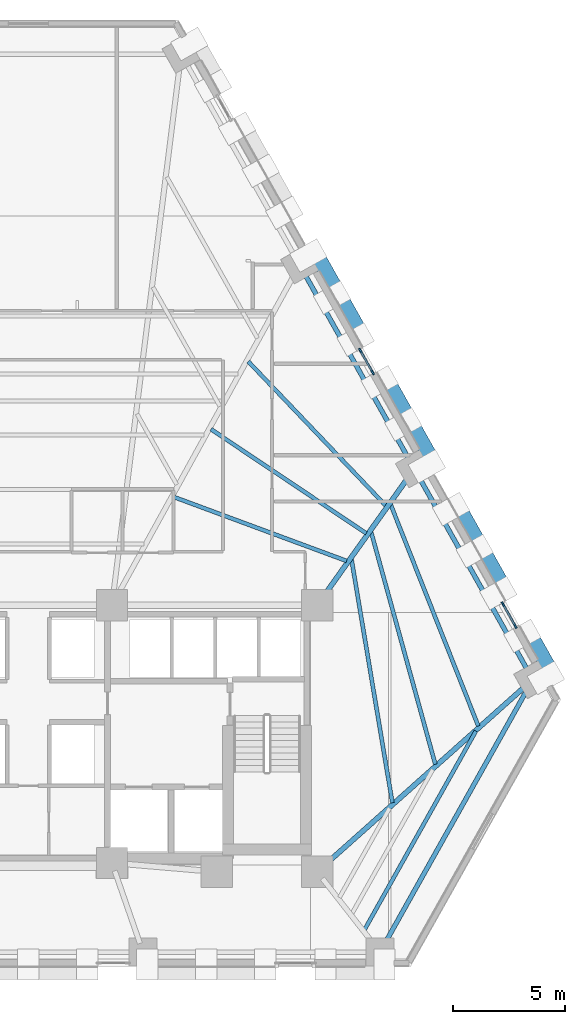
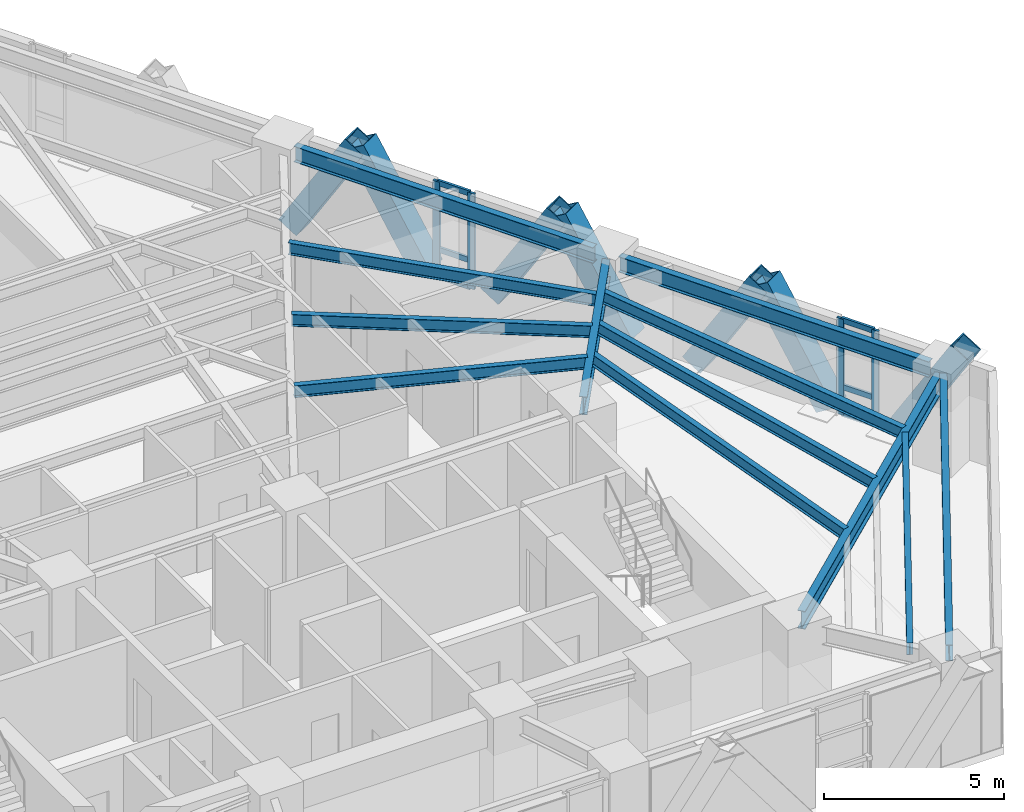
# One storey, part 4 of 13: 17 members, 12 beams, 2 elements without a shape of their own.
"""IFC4 building model written with IfcOpenShell, lengths in metres."""

import ifcopenshell
import ifcopenshell.guid

model = None  # the IFC model being written
_history = None  # IfcOwnerHistory: only IFC2X3 demands one
_inside = {}  # id of a spatial element -> (the spatial element, [elements in it])
_under = {}  # id of a project, library or spatial element -> (it, [spatial elements below it])
_declared = {}  # id of a project -> (the project, [libraries it declares])
_typed = {}  # id of a type object -> (the type object, [elements of that type])
_made_of = {}  # id of a material, layer set ... -> (it, [elements and type objects made of it])


def new_model(schema):
    """Start an empty IFC model of exactly this schema.

    Asked for "IFC4X3", IfcOpenShell would pick the latest addendum, in which some entities
    have other attributes; the version numbers below select the first issue.
    IFC2X3 requires an IfcOwnerHistory on every rooted entity: one is made here for all.
    """
    global model, _history
    if schema == "IFC4X3":
        model = ifcopenshell.file(schema_version=(4, 3, 0, 0))
    else:
        model = ifcopenshell.file(schema=schema)
    _inside.clear()
    _under.clear()
    _declared.clear()
    _typed.clear()
    _made_of.clear()
    _history = None
    if model.schema == "IFC2X3":
        org = make("IfcOrganization", Name="unknown")
        user = make(
            "IfcPersonAndOrganization",
            ThePerson=make("IfcPerson", FamilyName="unknown"),
            TheOrganization=org,
        )
        app = make(
            "IfcApplication",
            ApplicationDeveloper=org,
            Version="unknown",
            ApplicationFullName="unknown",
            ApplicationIdentifier="unknown",
        )
        _history = make(
            "IfcOwnerHistory",
            OwningUser=user,
            OwningApplication=app,
            ChangeAction="ADDED",
            CreationDate=0,
        )
    return model


def make(cls, **values):
    """One entity of the class cls with the attributes given. An attribute that is None is left unset."""
    return model.create_entity(
        cls, **{name: value for name, value in values.items() if value is not None}
    )


def rooted(cls, **values):
    """An entity with a GlobalId (a new one), such as an element, a storey or a relation."""
    return make(cls, GlobalId=ifcopenshell.guid.new(), OwnerHistory=_history, **values)


def si_unit(unit_type, name, prefix=None):
    """IfcSIUnit, for example si_unit("LENGTHUNIT", "METRE", prefix="MILLI")."""
    return make("IfcSIUnit", UnitType=unit_type, Prefix=prefix, Name=name)


def assignment(units):
    """IfcUnitAssignment: the units of a project."""
    return None if units is None else make("IfcUnitAssignment", Units=units)


def point(xyz):
    """IfcCartesianPoint."""
    return None if xyz is None else make("IfcCartesianPoint", Coordinates=xyz)


def direction(xyz):
    """IfcDirection."""
    return None if xyz is None else make("IfcDirection", DirectionRatios=xyz)


def frame(location, z_axis=None, x_axis=None):
    """IfcAxis2Placement3D, a coordinate frame: its origin and axes. An axis left out is left unset."""
    return make(
        "IfcAxis2Placement3D",
        Location=point(location),
        Axis=direction(z_axis),
        RefDirection=direction(x_axis),
    )


def frame_2d(location, x_axis=None):
    """IfcAxis2Placement2D, a coordinate frame in the plane: its origin and x axis."""
    return make(
        "IfcAxis2Placement2D", Location=point(location), RefDirection=direction(x_axis)
    )


def origin():
    """The frame at (0, 0, 0) with its axes left unset."""
    return frame((0.0, 0.0, 0.0))


def origin_2d():
    """The frame at (0, 0) in the plane with its x axis left unset."""
    return frame_2d((0.0, 0.0))


def place(relative_to, where):
    """IfcLocalPlacement: puts the frame where relative to a parent placement (None: the world)."""
    return make(
        "IfcLocalPlacement", PlacementRelTo=relative_to, RelativePlacement=where
    )


def context(
    kind, dimensions, precision=None, world=None, true_north=None, identifier=None
):
    """IfcGeometricRepresentationContext, for example the 3D "Model" context."""
    return make(
        "IfcGeometricRepresentationContext",
        ContextIdentifier=identifier,
        ContextType=kind,
        CoordinateSpaceDimension=dimensions,
        Precision=precision,
        WorldCoordinateSystem=world,
        TrueNorth=true_north,
    )


def subcontext(parent, identifier, kind, view, scale=None):
    """IfcGeometricRepresentationSubContext, for example "Body" below "Model"."""
    return make(
        "IfcGeometricRepresentationSubContext",
        ContextIdentifier=identifier,
        ContextType=kind,
        ParentContext=parent,
        TargetScale=scale,
        TargetView=view,
    )


def project(units=None, contexts=None):
    """IfcProject with its units and contexts."""
    return rooted(
        "IfcProject",
        Name="project",
        RepresentationContexts=contexts,
        UnitsInContext=assignment(units),
    )


def spatial(cls, under=None, at=None, **own):
    """A site, building, storey or space (cls), placed at a placement, below another one or the project."""
    s = rooted(cls, ObjectPlacement=at, **own)
    if under is not None:
        _under.setdefault(under.id(), (under, []))[1].append(s)
    return s


def profile(cls, at=None, kind="AREA", **sizes):
    """A parametric profile (cls). Its sizes go by their IFC names, for example OverallWidth=200.0."""
    return make(cls, ProfileType=kind, Position=at, **sizes)


def rectangle(**sizes):
    """IfcRectangleProfileDef."""
    return profile("IfcRectangleProfileDef", **sizes)


def hollow_rectangle(**sizes):
    """IfcRectangleHollowProfileDef."""
    return profile("IfcRectangleHollowProfileDef", **sizes)


def i_section(**sizes):
    """IfcIShapeProfileDef."""
    return profile("IfcIShapeProfileDef", **sizes)


def extrude(swept, where, along, depth):
    """IfcExtrudedAreaSolid: the profile swept, set in the frame where, extruded along a direction by depth."""
    return make(
        "IfcExtrudedAreaSolid",
        SweptArea=swept,
        Position=where,
        ExtrudedDirection=direction(along),
        Depth=depth,
    )


def shape(context_of_items, identifier, shape_type, items):
    """IfcShapeRepresentation: the items that make up one representation, for example the "Body"."""
    return make(
        "IfcShapeRepresentation",
        ContextOfItems=context_of_items,
        RepresentationIdentifier=identifier,
        RepresentationType=shape_type,
        Items=items,
    )


def material(Name=None, Category=None):
    """IfcMaterial."""
    return make("IfcMaterial", Name=Name, Category=Category)


def material_profile(
    of_material, cross_section, Name=None, Category=None, Priority=None
):
    """IfcMaterialProfile: a cross section and its material."""
    return make(
        "IfcMaterialProfile",
        Name=Name,
        Material=of_material,
        Profile=cross_section,
        Priority=Priority,
        Category=Category,
    )


def profile_set(profiles, Name=None, composite=None):
    """IfcMaterialProfileSet."""
    return make(
        "IfcMaterialProfileSet",
        Name=Name,
        MaterialProfiles=profiles,
        CompositeProfile=composite,
    )


def made_of(thing, what):
    """Note that an element or type object is made of a material, layer set ...; save() writes the relation."""
    if what is not None:
        _made_of.setdefault(what.id(), (what, []))[1].append(thing)
    return thing


def type_object(cls, material=None, **own):
    """A type object (cls), such as IfcWallType, which elements share."""
    return made_of(rooted(cls, **own), material)


def element(
    cls,
    number,
    at=None,
    inside=None,
    cuts=None,
    type_object=None,
    material=None,
    context=None,
    identifier="Body",
    shape_type=None,
    held_by="IfcProductDefinitionShape",
    body=None,
    shapes=None,
    **own,
):
    """One element of the class cls, such as IfcWall. Its Tag is "e" and its number.

    at: its placement. inside: the storey or other place that contains it. cuts: it is an
    opening in that element (IfcRelVoidsElement). A single representation is given by context,
    identifier, shape_type and body (its items); several are given by shapes. held_by: the class
    of the entity that holds the representations. save() writes the other relations.
    """
    e = rooted(cls, Tag="e%d" % number, ObjectPlacement=at, **own)
    if body is not None:
        shapes = [shape(context, identifier, shape_type, body)]
    if shapes is not None:
        e.Representation = make(held_by, Representations=shapes)
    if inside is not None:
        _inside.setdefault(inside.id(), (inside, []))[1].append(e)
    if cuts is not None:
        rooted(
            "IfcRelVoidsElement", RelatingBuildingElement=cuts, RelatedOpeningElement=e
        )
    if type_object is not None:
        _typed.setdefault(type_object.id(), (type_object, []))[1].append(e)
    return made_of(e, material)


def aggregate(whole, parts):
    """IfcRelAggregates: a whole, such as a stair, and the parts it consists of."""
    return rooted("IfcRelAggregates", RelatingObject=whole, RelatedObjects=parts)


def save(model, path):
    """Write the relations noted so far, then the file.

    IfcRelAggregates (storeys below a building ...), IfcRelContainedInSpatialStructure (elements
    in a storey), IfcRelDefinesByType, IfcRelAssociatesMaterial and IfcRelDeclares: one each for
    every whole, place, type object, material and project.
    """
    for whole, parts in _under.values():
        aggregate(whole, parts)
    for where, things in _inside.values():
        rooted(
            "IfcRelContainedInSpatialStructure",
            RelatedElements=things,
            RelatingStructure=where,
        )
    for kind, things in _typed.values():
        rooted("IfcRelDefinesByType", RelatedObjects=things, RelatingType=kind)
    for what, things in _made_of.values():
        rooted("IfcRelAssociatesMaterial", RelatedObjects=things, RelatingMaterial=what)
    for by, libraries in _declared.values():
        rooted("IfcRelDeclares", RelatingContext=by, RelatedDefinitions=libraries)
    model.write(path)


model = new_model("IFC4")

# Units and contexts
model_context = context("Model", 3, precision=1e-05, world=origin(), true_north=direction((0.0, 1.0)))
body_context = subcontext(model_context, "Body", "Model", "MODEL_VIEW")
ifc_project = project(units=[si_unit("LENGTHUNIT", "METRE"), si_unit("AREAUNIT", "SQUARE_METRE"), si_unit("VOLUMEUNIT", "CUBIC_METRE"), si_unit("PLANEANGLEUNIT", "RADIAN"), si_unit("MASSUNIT", "GRAM", prefix="KILO")], contexts=[model_context])

# Site, building, storey
site_placement = place(None, origin())
site = spatial("IfcSite", under=ifc_project, at=site_placement, CompositionType="ELEMENT")
building_placement = place(site_placement, origin())
building = spatial("IfcBuilding", under=site, at=building_placement, Name="Quenlor Broadcast Tower", CompositionType="ELEMENT")
storey_placement = place(building_placement, frame((0.0, 0.0, 34.60009765625)))
storey = spatial("IfcBuildingStorey", under=building, at=storey_placement, Name="L08", CompositionType="ELEMENT", Elevation=34.60009765625)

# Curtain wall, members
ifc_material_1 = material(Name="Architectural Terracotta and Low-E Glazing", Category="masonry")
curtain_wall_type = type_object("IfcCurtainWallType", Name="Unitised Terracotta Curtain Wall System Z1", PredefinedType="NOTDEFINED", material=ifc_material_1)
curtain_wall_1_placement = place(storey_placement, origin())
curtain_wall_1 = element("IfcCurtainWall", 1, at=curtain_wall_1_placement, inside=storey, type_object=curtain_wall_type, Name="L08 Curtain Wall CW1 (L08-NEC-G1)", PredefinedType="NOTDEFINED")
ifc_material_2 = material(Name="Aluminium 6063-T6", Category="aluminium")
ifc_material_profile_1 = material_profile(ifc_material_2, rectangle(XDim=0.080078125, YDim=0.219970703125, at=origin_2d()))
ifc_profile_set_1 = profile_set([ifc_material_profile_1], Name="Aluminium 6063-T6 MULL80x220")
member_type_1 = type_object("IfcMemberType", Name="CW1 Aluminium Mullion MULL_CW1", PredefinedType="MULLION", material=ifc_profile_set_1)
member_1_placement = place(storey_placement, frame((21.277587890625, -4.75341796875, 0.0), z_axis=(0.0, 0.0, 1.0), x_axis=(0.871602077703, 0.490214053392, 0.0)))
member_1 = element("IfcMember", 2, at=member_1_placement, type_object=member_type_1, Name="CW1 mullion 1", PredefinedType="MULLION", context=body_context, shape_type="SweptSolid", body=[
    extrude(rectangle(XDim=0.080078125, YDim=0.219970703125, at=origin_2d()), origin(), (0.0, 0.0, 1.0), 3.25),
])
member_2_placement = place(storey_placement, frame((21.830322265625, -5.736083984375, 0.0), z_axis=(0.0, 0.0, 1.0), x_axis=(0.871602077703, 0.490214053392, 0.0)))
member_2 = element("IfcMember", 3, at=member_2_placement, type_object=member_type_1, Name="CW1 mullion 2", PredefinedType="MULLION", context=body_context, shape_type="SweptSolid", body=[
    extrude(rectangle(XDim=0.080078125, YDim=0.219970703125, at=origin_2d()), origin(), (0.0, 0.0, 1.0), 3.25),
])

curtain_wall_2_placement = place(storey_placement, origin())
curtain_wall_2 = element("IfcCurtainWall", 4, at=curtain_wall_2_placement, inside=storey, type_object=curtain_wall_type, Name="L08 Curtain Wall CW1 (L08-NE-G1)", PredefinedType="NOTDEFINED")
member_3_placement = place(storey_placement, frame((14.884033203125, 6.613037109375, 0.0), z_axis=(0.0, 0.0, 1.0), x_axis=(0.871566690057, 0.49027696742, 0.0)))
member_3 = element("IfcMember", 5, at=member_3_placement, type_object=member_type_1, Name="CW1 mullion 1", PredefinedType="MULLION", context=body_context, shape_type="SweptSolid", body=[
    extrude(rectangle(XDim=0.080078125, YDim=0.219970703125, at=origin_2d()), origin(), (0.0, 0.0, 1.0), 3.25),
])
member_4_placement = place(storey_placement, frame((15.436767578125, 5.63037109375, 0.0), z_axis=(0.0, 0.0, 1.0), x_axis=(0.871566690057, 0.49027696742, 0.0)))
member_4 = element("IfcMember", 6, at=member_4_placement, type_object=member_type_1, Name="CW1 mullion 2", PredefinedType="MULLION", context=body_context, shape_type="SweptSolid", body=[
    extrude(rectangle(XDim=0.080078125, YDim=0.219970703125, at=origin_2d()), origin(), (0.0, 0.0, 1.0), 3.25),
])

# Member
ifc_material_3 = material(Name="Aluminium 6063-T6", Category="aluminium")
ifc_material_profile_2 = material_profile(ifc_material_3, rectangle(XDim=0.080078125, YDim=0.179931640625, at=origin_2d()))
ifc_profile_set_2 = profile_set([ifc_material_profile_2], Name="Aluminium 6063-T6 TRAN80x180")
member_type_2 = type_object("IfcMemberType", Name="CW1 Aluminium Transom TRAN_CW1", PredefinedType="USERDEFINED", material=ifc_profile_set_2)
member_5_placement = place(storey_placement, frame((21.29736328125, -4.788330078125, 0.039794921875), z_axis=(0.490228036821, -0.871594212874, 0.0), x_axis=(0.871594212874, 0.490228036821, 0.0)))
member_5 = element("IfcMember", 7, at=member_5_placement, type_object=member_type_2, Name="CW1 transom 1.1", ObjectType="TRANSOM", PredefinedType="USERDEFINED", context=body_context, shape_type="SweptSolid", body=[
    extrude(rectangle(XDim=0.080078125, YDim=0.179931640625, at=origin_2d()), origin(), (0.0, 0.0, 1.0), 1.04736328125),
])

member_6_placement = place(storey_placement, frame((21.29736328125, -4.788330078125, 0.949951171875), z_axis=(0.490228036821, -0.871594212874, 0.0), x_axis=(0.871594212874, 0.490228036821, 0.0)))
member_6 = element("IfcMember", 8, at=member_6_placement, type_object=member_type_2, Name="CW1 transom 1.2", ObjectType="TRANSOM", PredefinedType="USERDEFINED", context=body_context, shape_type="SweptSolid", body=[
    extrude(rectangle(XDim=0.080078125, YDim=0.179931640625, at=origin_2d()), origin(), (0.0, 0.0, 1.0), 1.04736328125),
])

member_7_placement = place(storey_placement, frame((21.29736328125, -4.788330078125, 3.2099609375), z_axis=(0.490228036821, -0.871594212874, 0.0), x_axis=(0.871594212874, 0.490228036821, 0.0)))
member_7 = element("IfcMember", 9, at=member_7_placement, type_object=member_type_2, Name="CW1 transom 1.3", ObjectType="TRANSOM", PredefinedType="USERDEFINED", context=body_context, shape_type="SweptSolid", body=[
    extrude(rectangle(XDim=0.080078125, YDim=0.179931640625, at=origin_2d()), origin(), (0.0, 0.0, 1.0), 1.04736328125),
])

aggregate(curtain_wall_1, [member_1, member_2, member_5, member_6, member_7])

member_8_placement = place(storey_placement, frame((14.90380859375, 6.578125, 0.039794921875), z_axis=(0.490128451098, -0.87165021736, 0.0), x_axis=(0.87165021736, 0.490128451098, 0.0)))
member_8 = element("IfcMember", 10, at=member_8_placement, type_object=member_type_2, Name="CW1 transom 1.1", ObjectType="TRANSOM", PredefinedType="USERDEFINED", context=body_context, shape_type="SweptSolid", body=[
    extrude(rectangle(XDim=0.080078125, YDim=0.179931640625, at=origin_2d()), origin(), (0.0, 0.0, 1.0), 1.047607421875),
])

member_9_placement = place(storey_placement, frame((14.90380859375, 6.578125, 0.949951171875), z_axis=(0.490128451098, -0.87165021736, 0.0), x_axis=(0.87165021736, 0.490128451098, 0.0)))
member_9 = element("IfcMember", 11, at=member_9_placement, type_object=member_type_2, Name="CW1 transom 1.2", ObjectType="TRANSOM", PredefinedType="USERDEFINED", context=body_context, shape_type="SweptSolid", body=[
    extrude(rectangle(XDim=0.080078125, YDim=0.179931640625, at=origin_2d()), origin(), (0.0, 0.0, 1.0), 1.047607421875),
])

member_10_placement = place(storey_placement, frame((14.90380859375, 6.578125, 3.2099609375), z_axis=(0.490128451098, -0.87165021736, 0.0), x_axis=(0.87165021736, 0.490128451098, 0.0)))
member_10 = element("IfcMember", 12, at=member_10_placement, type_object=member_type_2, Name="CW1 transom 1.3", ObjectType="TRANSOM", PredefinedType="USERDEFINED", context=body_context, shape_type="SweptSolid", body=[
    extrude(rectangle(XDim=0.080078125, YDim=0.179931640625, at=origin_2d()), origin(), (0.0, 0.0, 1.0), 1.047607421875),
])

aggregate(curtain_wall_2, [member_3, member_4, member_8, member_9, member_10])

# Members
ifc_material_4 = material(Name="Steel S355", Category="steel")
ifc_material_profile_3 = material_profile(ifc_material_4, hollow_rectangle(XDim=0.679931640625, YDim=0.679931640625, WallThickness=0.034912109375, at=origin_2d()))
ifc_profile_set_3 = profile_set([ifc_material_profile_3], Name="Steel S355 RHS680x680x35")
member_type_3 = type_object("IfcMemberType", Name="Perimeter Diagonal Lattice Brace Z1 Steel S355 RHS680x35", PredefinedType="BRACE", material=ifc_profile_set_3)
for number, where, z_axis, x_axis, name in (
    (13, (12.84716796875, 11.039794921875, -0.1201171875), (0.256375341489, -0.45579159737, 0.852364771705), (0.871581609758, 0.490250443683, 0.0), "L08 Perimeter Diamond Lattice NE-C2S"),
    (14, (16.0439453125, 5.356689453125, -0.1201171875), (0.256375341489, -0.45579159737, 0.852364771705), (0.871581609758, 0.490250443683, 0.0), "L08 Perimeter Diamond Lattice NE-C3S"),
):
    element("IfcMember", number, at=place(storey_placement, frame(where, z_axis=z_axis, x_axis=x_axis)), inside=storey, type_object=member_type_3, Name=name, PredefinedType="BRACE", context=body_context, shape_type="SweptSolid", body=[
        extrude(hollow_rectangle(XDim=0.679931640625, YDim=0.679931640625, WallThickness=0.034912109375, at=origin_2d()), origin(), (0.0, 0.0, 1.0), 4.106201171875),
    ])
member_11_placement = place(storey_placement, frame((14.965576171875, 7.273681640625, -0.1201171875), z_axis=(-0.256368393635, 0.455838699906, 0.852341672343), x_axis=(-0.871608931644, -0.490201866865, 0.0)))
element("IfcMember", 15, at=member_11_placement, inside=storey, type_object=member_type_3, Name="L08 Perimeter Diamond Lattice NE-C3B", PredefinedType="BRACE", context=body_context, shape_type="SweptSolid", body=[
    extrude(hollow_rectangle(XDim=0.679931640625, YDim=0.679931640625, WallThickness=0.034912109375, at=origin_2d()), origin(), (0.0, 0.0, 1.0), 4.1064453125),
])
for number, where, z_axis, x_axis, name in (
    (16, (19.24072265625, -0.326416015625, -0.1201171875), (0.256375341489, -0.45579159737, 0.852364771705), (0.871581609758, 0.490250443683, 0.0), "L08 Perimeter Diamond Lattice NE-C4S"),
    (17, (18.162353515625, 1.5908203125, -0.1201171875), (-0.256375341489, 0.45579159737, 0.852364771705), (-0.871581609758, -0.490250443683, 0.0), "L08 Perimeter Diamond Lattice NE-C4B"),
):
    element("IfcMember", number, at=place(storey_placement, frame(where, z_axis=z_axis, x_axis=x_axis)), inside=storey, type_object=member_type_3, Name=name, PredefinedType="BRACE", context=body_context, shape_type="SweptSolid", body=[
        extrude(hollow_rectangle(XDim=0.679931640625, YDim=0.679931640625, WallThickness=0.034912109375, at=origin_2d()), origin(), (0.0, 0.0, 1.0), 4.106201171875),
    ])
member_12_placement = place(storey_placement, frame((22.4375, -6.009521484375, -0.1201171875), z_axis=(0.256368393635, -0.455838699906, 0.852341672343), x_axis=(0.871608931644, 0.490201866865, 0.0)))
element("IfcMember", 18, at=member_12_placement, inside=storey, type_object=member_type_3, Name="L08 Perimeter Diamond Lattice NE-C5S", PredefinedType="BRACE", context=body_context, shape_type="SweptSolid", body=[
    extrude(hollow_rectangle(XDim=0.679931640625, YDim=0.679931640625, WallThickness=0.034912109375, at=origin_2d()), origin(), (0.0, 0.0, 1.0), 4.1064453125),
])
member_13_placement = place(storey_placement, frame((21.359130859375, -4.092529296875, -0.1201171875), z_axis=(-0.256375341489, 0.45579159737, 0.852364771705), x_axis=(-0.871581609758, -0.490250443683, 0.0)))
element("IfcMember", 19, at=member_13_placement, inside=storey, type_object=member_type_3, Name="L08 Perimeter Diamond Lattice NE-C5B", PredefinedType="BRACE", context=body_context, shape_type="SweptSolid", body=[
    extrude(hollow_rectangle(XDim=0.679931640625, YDim=0.679931640625, WallThickness=0.034912109375, at=origin_2d()), origin(), (0.0, 0.0, 1.0), 4.106201171875),
])

# Beams
ifc_material_5 = material(Name="Steel S355", Category="steel")
ifc_material_profile_4 = material_profile(ifc_material_5, i_section(OverallWidth=0.208984375, OverallDepth=0.532958984375, WebThickness=0.01025390625, FlangeThickness=0.015625, FilletRadius=0.013916015625, at=origin_2d()))
ifc_profile_set_4 = profile_set([ifc_material_profile_4], Name="Steel S355 530UB92.4")
beam_type_1 = type_object("IfcBeamType", Name="Perimeter Spandrel Beam Z1 Steel S355 530UB92.4", PredefinedType="SPANDREL", material=ifc_profile_set_4)
beam_1_placement = place(storey_placement, frame((15.965576171875, -19.992431640625, 2.9833984375), z_axis=(0.489090917871, 0.87223280955, 0.0), x_axis=(-0.87223280955, 0.489090917871, 0.0)))
element("IfcBeam", 20, at=beam_1_placement, inside=storey, type_object=beam_type_1, Name="L08 Spandrel Beam S4-NE1", PredefinedType="SPANDREL", context=body_context, shape_type="SweptSolid", body=[
    extrude(i_section(OverallWidth=0.208984375, OverallDepth=0.532958984375, WebThickness=0.01025390625, FlangeThickness=0.015625, FilletRadius=0.013916015625, at=origin_2d()), origin(), (0.0, 0.0, 1.0), 13.187744140625),
])
beam_2_placement = place(storey_placement, frame((22.4150390625, -7.77490234375, 2.9833984375), z_axis=(-0.490257767622, 0.871577490121, 0.0), x_axis=(-0.871577490121, -0.490257767622, 0.0)))
element("IfcBeam", 21, at=beam_2_placement, inside=storey, type_object=beam_type_1, Name="L08 Spandrel Beam NE1-NE2", PredefinedType="SPANDREL", context=body_context, shape_type="SweptSolid", body=[
    extrude(i_section(OverallWidth=0.208984375, OverallDepth=0.532958984375, WebThickness=0.01025390625, FlangeThickness=0.015625, FilletRadius=0.013916015625, at=origin_2d()), origin(), (0.0, 0.0, 1.0), 10.015380859375),
])
beam_3_placement = place(storey_placement, frame((17.102783203125, 1.6689453125, 2.9833984375), z_axis=(-0.490257642051, 0.871577560755, 0.0), x_axis=(-0.871577560755, -0.490257642051, 0.0)))
element("IfcBeam", 22, at=beam_3_placement, inside=storey, type_object=beam_type_1, Name="L08 Spandrel Beam NE2-NE3", PredefinedType="SPANDREL", context=body_context, shape_type="SweptSolid", body=[
    extrude(i_section(OverallWidth=0.208984375, OverallDepth=0.532958984375, WebThickness=0.01025390625, FlangeThickness=0.015625, FilletRadius=0.013916015625, at=origin_2d()), origin(), (0.0, 0.0, 1.0), 9.665771484375),
])
ifc_material_6 = material(Name="Steel S355", Category="steel")
ifc_material_profile_5 = material_profile(ifc_material_6, i_section(OverallWidth=0.177978515625, OverallDepth=0.406494140625, WebThickness=0.0078125, FlangeThickness=0.0126953125, FilletRadius=0.011474609375, at=origin_2d()))
ifc_profile_set_5 = profile_set([ifc_material_profile_5], Name="Steel S355 410UB59.7")
beam_type_2 = type_object("IfcBeamType", Name="Tower Composite Joist Z1 Steel S355 410UB59.7", PredefinedType="JOIST", material=ifc_profile_set_5)
beam_4_placement = place(storey_placement, frame((14.268310546875, -2.81640625, 3.046630859375), z_axis=(-0.937824633945, 0.347109429383, 0.0), x_axis=(-0.347109429383, -0.937824633945, 0.0)))
element("IfcBeam", 23, at=beam_4_placement, inside=storey, type_object=beam_type_2, Name="L08 Secondary Composite Joist 10", PredefinedType="JOIST", context=body_context, shape_type="SweptSolid", body=[
    extrude(i_section(OverallWidth=0.177978515625, OverallDepth=0.406494140625, WebThickness=0.0078125, FlangeThickness=0.0126953125, FilletRadius=0.011474609375, at=origin_2d()), origin(), (0.0, 0.0, 1.0), 8.26513671875),
])
beam_5_placement = place(storey_placement, frame((15.147705078125, -1.577392578125, 3.046630859375), z_axis=(-0.830625844363, 0.556830949819, 0.0), x_axis=(-0.556830949819, -0.830625844363, 0.0)))
element("IfcBeam", 24, at=beam_5_placement, inside=storey, type_object=beam_type_2, Name="L08 Secondary Composite Joist 11", PredefinedType="JOIST", context=body_context, shape_type="SweptSolid", body=[
    extrude(i_section(OverallWidth=0.177978515625, OverallDepth=0.406494140625, WebThickness=0.0078125, FlangeThickness=0.0126953125, FilletRadius=0.011474609375, at=origin_2d()), origin(), (0.0, 0.0, 1.0), 8.374755859375),
])
beam_6_placement = place(storey_placement, frame((16.029541015625, -0.341796875, 3.046630859375), z_axis=(-0.690241086162, 0.723579465556, 0.0), x_axis=(-0.723579465556, -0.690241086162, 0.0)))
element("IfcBeam", 25, at=beam_6_placement, inside=storey, type_object=beam_type_2, Name="L08 Secondary Composite Joist 12", PredefinedType="JOIST", context=body_context, shape_type="SweptSolid", body=[
    extrude(i_section(OverallWidth=0.177978515625, OverallDepth=0.406494140625, WebThickness=0.0078125, FlangeThickness=0.0126953125, FilletRadius=0.011474609375, at=origin_2d()), origin(), (0.0, 0.0, 1.0), 8.93408203125),
])
beam_7_placement = place(storey_placement, frame((16.31982421875, -13.65478515625, 3.046630859375), z_axis=(-0.16559360599, 0.986194077074, 0.0), x_axis=(-0.986194077074, -0.16559360599, 0.0)))
element("IfcBeam", 26, at=beam_7_placement, inside=storey, type_object=beam_type_2, Name="L08 Secondary Composite Joist 16", PredefinedType="JOIST", context=body_context, shape_type="SweptSolid", body=[
    extrude(i_section(OverallWidth=0.177978515625, OverallDepth=0.406494140625, WebThickness=0.0078125, FlangeThickness=0.0126953125, FilletRadius=0.011474609375, at=origin_2d()), origin(), (0.0, 0.0, 1.0), 11.06787109375),
])
beam_8_placement = place(storey_placement, frame((18.2451171875, -11.93310546875, 3.046630859375), z_axis=(-0.266390054368, 0.963865311615, 0.0), x_axis=(-0.963865311615, -0.266390054368, 0.0)))
element("IfcBeam", 27, at=beam_8_placement, inside=storey, type_object=beam_type_2, Name="L08 Secondary Composite Joist 17", PredefinedType="JOIST", context=body_context, shape_type="SweptSolid", body=[
    extrude(i_section(OverallWidth=0.177978515625, OverallDepth=0.406494140625, WebThickness=0.0078125, FlangeThickness=0.0126953125, FilletRadius=0.011474609375, at=origin_2d()), origin(), (0.0, 0.0, 1.0), 10.80810546875),
])
beam_9_placement = place(storey_placement, frame((20.170166015625, -10.212158203125, 3.046630859375), z_axis=(-0.367884833597, 0.929871361646, 0.0), x_axis=(-0.929871361646, -0.367884833597, 0.0)))
element("IfcBeam", 28, at=beam_9_placement, inside=storey, type_object=beam_type_2, Name="L08 Secondary Composite Joist 18", PredefinedType="JOIST", context=body_context, shape_type="SweptSolid", body=[
    extrude(i_section(OverallWidth=0.177978515625, OverallDepth=0.406494140625, WebThickness=0.0078125, FlangeThickness=0.0126953125, FilletRadius=0.011474609375, at=origin_2d()), origin(), (0.0, 0.0, 1.0), 10.669921875),
])
beam_10_placement = place(storey_placement, frame((15.072265625, -19.34423828125, 3.046630859375), z_axis=(0.489081877778, 0.872237878579, 0.0), x_axis=(-0.872237878579, 0.489081877778, 0.0)))
element("IfcBeam", 29, at=beam_10_placement, inside=storey, type_object=beam_type_2, Name="L08 Secondary Composite Joist 24", PredefinedType="JOIST", context=body_context, shape_type="SweptSolid", body=[
    extrude(i_section(OverallWidth=0.177978515625, OverallDepth=0.406494140625, WebThickness=0.0078125, FlangeThickness=0.0126953125, FilletRadius=0.011474609375, at=origin_2d()), origin(), (0.0, 0.0, 1.0), 10.205810546875),
])
ifc_material_7 = material(Name="Steel S355", Category="steel")
ifc_material_profile_6 = material_profile(ifc_material_7, i_section(OverallWidth=0.22900390625, OverallDepth=0.611572265625, WebThickness=0.011962890625, FlangeThickness=0.01953125, FilletRadius=0.013916015625, at=origin_2d()))
ifc_profile_set_6 = profile_set([ifc_material_profile_6], Name="Steel S355 610UB125")
beam_type_3 = type_object("IfcBeamType", Name="Tower Primary Floor Beam Z1 Steel S355 610UB125", PredefinedType="BEAM", material=ifc_profile_set_6)
beam_11_placement = place(storey_placement, frame((22.31005859375, -8.40478515625, 2.944091796875), z_axis=(-0.746413754585, -0.665482161268, 0.0), x_axis=(0.665482161268, -0.746413754585, 0.0)))
element("IfcBeam", 30, at=beam_11_placement, inside=storey, type_object=beam_type_3, Name="L08 Primary Radial Beam NE1", PredefinedType="BEAM", context=body_context, shape_type="SweptSolid", body=[
    extrude(i_section(OverallWidth=0.22900390625, OverallDepth=0.611572265625, WebThickness=0.011962890625, FlangeThickness=0.01953125, FilletRadius=0.013916015625, at=origin_2d()), origin(), (0.0, 0.0, 1.0), 12.159912109375),
])
beam_12_placement = place(storey_placement, frame((17.06591796875, 0.977783203125, 2.944091796875), z_axis=(-0.580212680853, -0.814465005373, 0.0), x_axis=(0.814465005373, -0.580212680853, 0.0)))
element("IfcBeam", 31, at=beam_12_placement, inside=storey, type_object=beam_type_3, Name="L08 Primary Radial Beam NE2", PredefinedType="BEAM", context=body_context, shape_type="SweptSolid", body=[
    extrude(i_section(OverallWidth=0.22900390625, OverallDepth=0.611572265625, WebThickness=0.011962890625, FlangeThickness=0.01953125, FilletRadius=0.013916015625, at=origin_2d()), origin(), (0.0, 0.0, 1.0), 6.7138671875),
])

save(model, "model.ifc")
